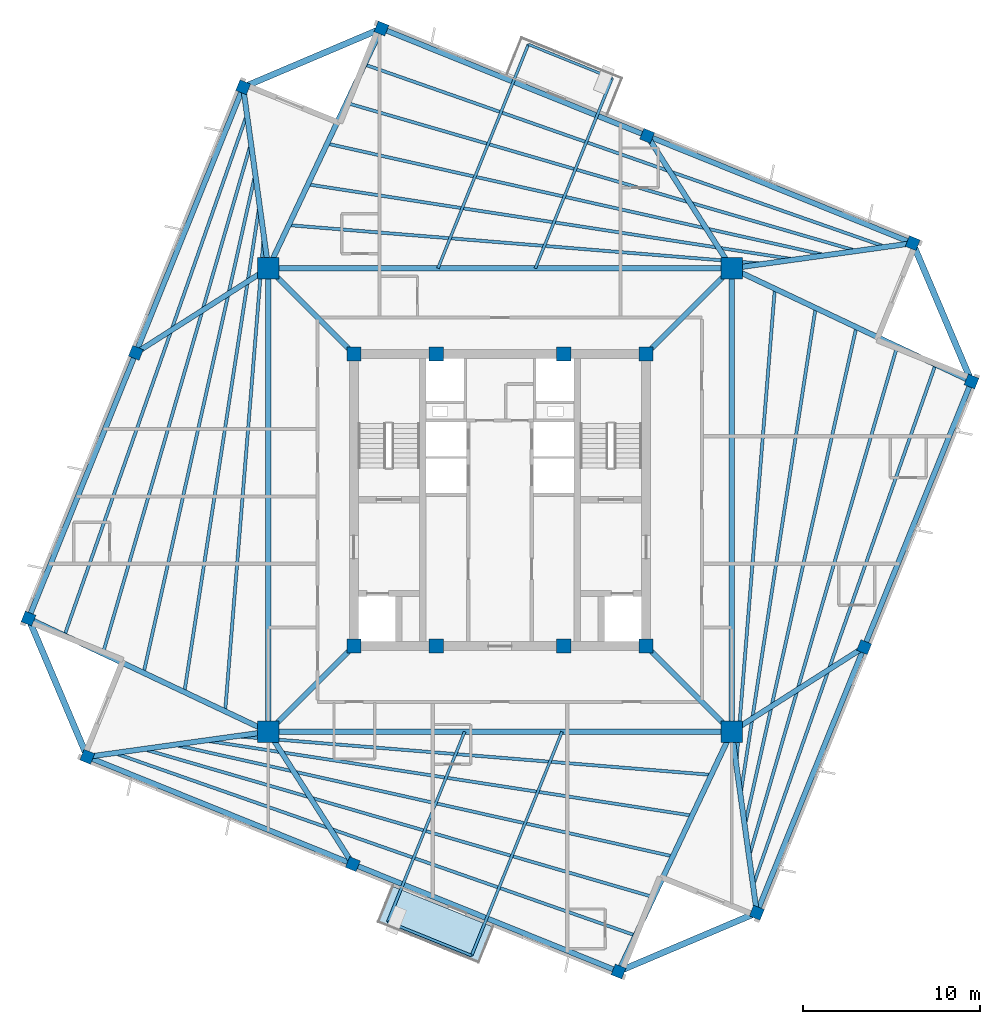
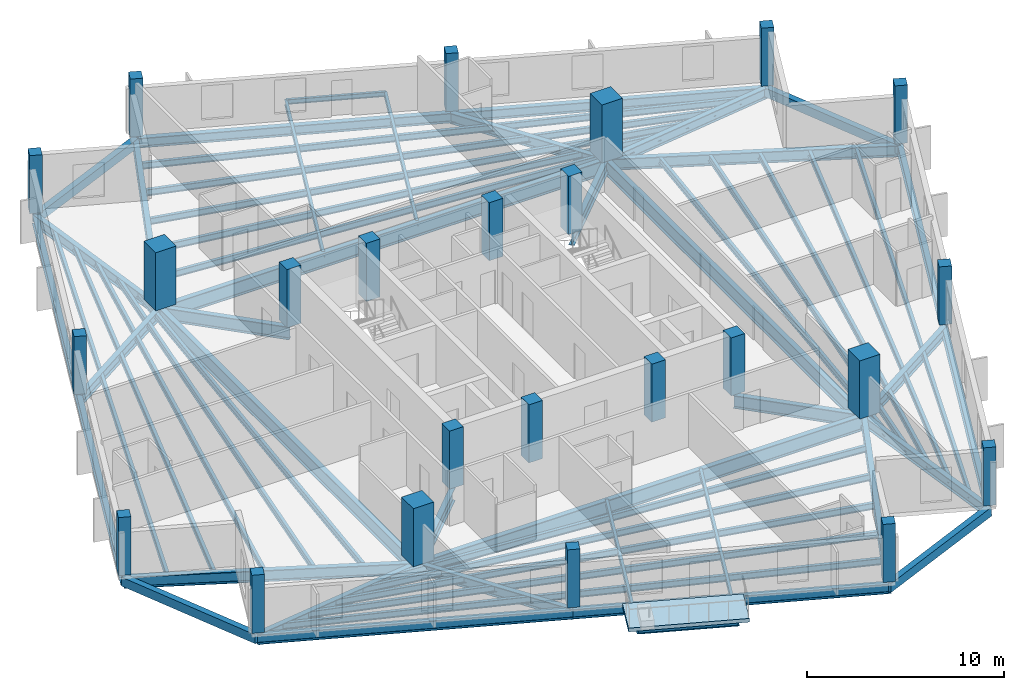
# One storey, part 1 of 8: 58 beams, 24 columns, 1 slab.
"""IFC4 building model written with IfcOpenShell, lengths in metres."""

from ifc_helpers import new_model, si_unit, direction, frame, origin, origin_2d, place, context, subcontext, project, spatial, polyline, rectangle, i_section, outline, extrude, source, transform, mapped, material, layer, layer_set, material_profile, profile_set, type_object, element, save


model = new_model("IFC4")

# Units and contexts
model_context = context("Model", 3, precision=1e-05, world=origin(), true_north=direction((0.0, 1.0)))
body_context = subcontext(model_context, "Body", "Model", "MODEL_VIEW")
ifc_project = project(units=[si_unit("LENGTHUNIT", "METRE"), si_unit("AREAUNIT", "SQUARE_METRE"), si_unit("VOLUMEUNIT", "CUBIC_METRE"), si_unit("PLANEANGLEUNIT", "RADIAN"), si_unit("MASSUNIT", "GRAM", prefix="KILO"), si_unit("THERMODYNAMICTEMPERATUREUNIT", "KELVIN")], contexts=[model_context])

# Site, building, storey
site_placement = place(None, origin())
site = spatial("IfcSite", under=ifc_project, at=site_placement, CompositionType="ELEMENT")
building_placement = place(site_placement, origin())
building = spatial("IfcBuilding", under=site, at=building_placement, Name="Kosmvard Interchange Tower", CompositionType="ELEMENT")
storey_placement = place(building_placement, frame((0.0, 0.0, 265.199951171875)))
storey = spatial("IfcBuildingStorey", under=building, at=storey_placement, Name="L64", CompositionType="ELEMENT", Elevation=265.199951171875)

# Columns
ifc_material_1 = material(Name="Concrete C50/60", Category="concrete")
ifc_material_profile_1 = material_profile(ifc_material_1, rectangle(XDim=0.800048828125, YDim=0.800048828125, at=origin_2d()), Name="CP 800x800")
ifc_profile_set_1 = profile_set([ifc_material_profile_1], Name="Concrete C50/60")
column_type_1 = type_object("IfcColumnType", Name="Core Boundary Pilaster 800x800 C50/60", PredefinedType="PILASTER", material=ifc_profile_set_1)
shared_shape_1 = source(origin(), body_context, "Body", "SweptSolid", [
    extrude(rectangle(XDim=0.800048828125, YDim=0.800048828125, at=origin_2d()), origin(), (0.0, 0.0, 1.0), 3.60009765625),
])
for number, where, z_axis, x_axis, name in (
    (1, (-8.25, -8.25, 0.0), (0.0, 0.0, 1.0), (1.0, 0.0, 0.0), "L64 Core Pilaster CP1"),
    (2, (8.25, -8.25, 0.0), (0.0, 0.0, 1.0), (1.0, 0.0, 0.0), "L64 Core Pilaster CP2"),
    (3, (8.25, 8.25, 0.0), (0.0, 0.0, 1.0), (1.0, 0.0, 0.0), "L64 Core Pilaster CP3"),
    (4, (-8.25, 8.25, 0.0), (0.0, 0.0, 1.0), (1.0, 0.0, 0.0), "L64 Core Pilaster CP4"),
    (5, (-3.60009765625, -8.25, 0.0), (0.0, 0.0, 1.0), (1.0, 0.0, 0.0), "L64 Core Pilaster CP5"),
    (6, (3.60009765625, -8.25, 0.0), (0.0, 0.0, 1.0), (1.0, 0.0, 0.0), "L64 Core Pilaster CP6"),
    (7, (-3.60009765625, 8.25, 0.0), (0.0, 0.0, 1.0), (1.0, 0.0, 0.0), "L64 Core Pilaster CP7"),
    (8, (3.60009765625, 8.25, 0.0), (0.0, 0.0, 1.0), (1.0, 0.0, 0.0), "L64 Core Pilaster CP8"),
):
    element("IfcColumn", number, at=place(storey_placement, frame(where, z_axis=z_axis, x_axis=x_axis)), inside=storey, type_object=column_type_1, Name=name, PredefinedType="PILASTER", context=body_context, shape_type="MappedRepresentation", body=[
        mapped(shared_shape_1, transform((0.0, 0.0, 0.0), scale=1.0)),
    ])
ifc_material_profile_2 = material_profile(ifc_material_1, rectangle(XDim=1.199951171875, YDim=1.199951171875, at=origin_2d()), Name="MC 1200x1200")
ifc_profile_set_2 = profile_set([ifc_material_profile_2], Name="Concrete C50/60")
column_type_2 = type_object("IfcColumnType", Name="Composite Mega-Column 1200x1200 C50/60", PredefinedType="COLUMN", material=ifc_profile_set_2)
shared_shape_2 = source(origin(), body_context, "Body", "SweptSolid", [
    extrude(rectangle(XDim=1.199951171875, YDim=1.199951171875, at=origin_2d()), origin(), (0.0, 0.0, 1.0), 3.60009765625),
])
for number, where, z_axis, x_axis, name in (
    (9, (-13.0810546875, -13.0810546875, 0.0), (0.0, 0.0, 1.0), (1.0, 0.0, 0.0), "L64 Corner Mega-Column MC1"),
    (10, (13.0810546875, -13.0810546875, 0.0), (0.0, 0.0, 1.0), (1.0, 0.0, 0.0), "L64 Corner Mega-Column MC2"),
    (11, (13.0810546875, 13.0810546875, 0.0), (0.0, 0.0, 1.0), (1.0, 0.0, 0.0), "L64 Corner Mega-Column MC3"),
    (12, (-13.0810546875, 13.0810546875, 0.0), (0.0, 0.0, 1.0), (1.0, 0.0, 0.0), "L64 Corner Mega-Column MC4"),
):
    element("IfcColumn", number, at=place(storey_placement, frame(where, z_axis=z_axis, x_axis=x_axis)), inside=storey, type_object=column_type_2, Name=name, PredefinedType="COLUMN", context=body_context, shape_type="MappedRepresentation", body=[
        mapped(shared_shape_2, transform((0.0, 0.0, 0.0), scale=1.0)),
    ])
ifc_material_profile_3 = material_profile(ifc_material_1, rectangle(XDim=0.64990234375, YDim=0.64990234375, at=origin_2d()), Name="TC 650x650")
ifc_profile_set_3 = profile_set([ifc_material_profile_3], Name="Concrete C50/60")
column_type_3 = type_object("IfcColumnType", Name="Zone 5 Perimeter Pier Column 650x650 C50/60", PredefinedType="COLUMN", material=ifc_profile_set_3)
shared_shape_3 = source(origin(), body_context, "Body", "SweptSolid", [
    extrude(rectangle(XDim=0.64990234375, YDim=0.64990234375, at=origin_2d()), origin(), (0.0, 0.0, 1.0), 3.60009765625),
])
for number, where, z_axis, x_axis, name in (
    (13, (14.5009765625, -23.30419921875, 0.0), (0.0, 0.0, 1.0), (0.374606593416, 0.927183854567, 0.0), "L64 Perimeter Pier Column TC-S1"),
    (14, (20.560302734375, -8.306884765625, 0.0), (0.0, 0.0, 1.0), (0.374606593416, 0.927183854567, 0.0), "L64 Perimeter Pier Column TC-S2"),
    (15, (26.61962890625, 6.690185546875, 0.0), (0.0, 0.0, 1.0), (0.374606593416, 0.927183854567, 0.0), "L64 Perimeter Pier Column TC-S3"),
    (16, (23.30419921875, 14.5009765625, 0.0), (0.0, 0.0, 1.0), (0.374606593416, 0.927183854567, 0.0), "L64 Perimeter Pier Column TC-E1"),
    (17, (8.306884765625, 20.560302734375, 0.0), (0.0, 0.0, 1.0), (0.374606593416, 0.927183854567, 0.0), "L64 Perimeter Pier Column TC-E2"),
    (18, (-6.690185546875, 26.61962890625, 0.0), (0.0, 0.0, 1.0), (0.374606593416, 0.927183854567, 0.0), "L64 Perimeter Pier Column TC-E3"),
    (19, (-14.5009765625, 23.30419921875, 0.0), (0.0, 0.0, 1.0), (0.374606593416, 0.927183854567, 0.0), "L64 Perimeter Pier Column TC-N1"),
    (20, (-20.560302734375, 8.306884765625, 0.0), (0.0, 0.0, 1.0), (0.374606593416, 0.927183854567, 0.0), "L64 Perimeter Pier Column TC-N2"),
    (21, (-26.61962890625, -6.690185546875, 0.0), (0.0, 0.0, 1.0), (0.374606593416, 0.927183854567, 0.0), "L64 Perimeter Pier Column TC-N3"),
    (22, (-23.30419921875, -14.5009765625, 0.0), (0.0, 0.0, 1.0), (0.374606593416, 0.927183854567, 0.0), "L64 Perimeter Pier Column TC-W1"),
    (23, (-8.306884765625, -20.560302734375, 0.0), (0.0, 0.0, 1.0), (0.374606593416, 0.927183854567, 0.0), "L64 Perimeter Pier Column TC-W2"),
    (24, (6.690185546875, -26.61962890625, 0.0), (0.0, 0.0, 1.0), (0.374606593416, 0.927183854567, 0.0), "L64 Perimeter Pier Column TC-W3"),
):
    element("IfcColumn", number, at=place(storey_placement, frame(where, z_axis=z_axis, x_axis=x_axis)), inside=storey, type_object=column_type_3, Name=name, PredefinedType="COLUMN", context=body_context, shape_type="MappedRepresentation", body=[
        mapped(shared_shape_3, transform((0.0, 0.0, 0.0), scale=1.0)),
    ])

# Beams
ifc_material_2 = material(Name="Steel S355", Category="steel")
ifc_material_profile_4 = material_profile(ifc_material_2, i_section(OverallWidth=0.14990234375, OverallDepth=0.300048828125, WebThickness=0.007080078125, FlangeThickness=0.0107421875, FilletRadius=0.014892578125, at=origin_2d()), Name="IPE 300")
ifc_profile_set_4 = profile_set([ifc_material_profile_4], Name="Steel S355")
beam_type_1 = type_object("IfcBeamType", Name="Balcony Edge Header Joist IPE 300 S355", PredefinedType="JOIST", material=ifc_profile_set_4)
shared_shape_4 = source(origin(), body_context, "Body", "SweptSolid", [
    extrude(i_section(OverallWidth=0.14990234375, OverallDepth=0.300048828125, WebThickness=0.007080078125, FlangeThickness=0.0107421875, FilletRadius=0.014892578125, at=origin_2d()), origin(), (0.0, 0.0, 1.0), 5.10009765625),
])
for number, where, z_axis, x_axis, name in (
    (25, (6.331298828125, 23.812255859375, -0.39990234375), (-0.927193563684, 0.37458256161, 0.0), (-0.37458256161, -0.927193563684, 0.0), "BM-L64-BJH1"),
    (26, (-6.331298828125, -23.812255859375, -0.39990234375), (0.927193563684, -0.37458256161, 0.0), (0.37458256161, 0.927193563684, 0.0), "BM-L64-BJH2"),
):
    element("IfcBeam", number, at=place(storey_placement, frame(where, z_axis=z_axis, x_axis=x_axis)), inside=storey, type_object=beam_type_1, Name=name, PredefinedType="JOIST", context=body_context, shape_type="MappedRepresentation", body=[
        mapped(shared_shape_4, transform((0.0, 0.0, 0.0), scale=1.0)),
    ])
ifc_material_profile_5 = material_profile(ifc_material_2, i_section(OverallWidth=0.300048828125, OverallDepth=0.800048828125, WebThickness=0.017578125, FlangeThickness=0.032958984375, FilletRadius=0.027099609375, at=origin_2d()), Name="HEB 800")
ifc_profile_set_5 = profile_set([ifc_material_profile_5], Name="Steel S355")
beam_type_2 = type_object("IfcBeamType", Name="Primary Mega-Frame Girder HEB 800 S355", PredefinedType="BEAM", material=ifc_profile_set_5)
shared_shape_5 = source(origin(), body_context, "Body", "SweptSolid", [
    extrude(i_section(OverallWidth=0.300048828125, OverallDepth=0.800048828125, WebThickness=0.017578125, FlangeThickness=0.032958984375, FilletRadius=0.027099609375, at=origin_2d()), origin(), (0.0, 0.0, 1.0), 6.83203125),
])
for number, where, z_axis, x_axis, name in (
    (27, (-8.25, -8.25, -0.64990234375), (-0.707106781187, -0.707106781187, 0.0), (0.707106781187, -0.707106781187, 0.0), "L64 Radial Mega-Frame Girder 1"),
    (28, (8.25, -8.25, -0.64990234375), (0.707106781187, -0.707106781187, 0.0), (0.707106781187, 0.707106781187, 0.0), "L64 Radial Mega-Frame Girder 2"),
    (29, (8.25, 8.25, -0.64990234375), (0.707106781187, 0.707106781187, 0.0), (-0.707106781187, 0.707106781187, 0.0), "L64 Radial Mega-Frame Girder 3"),
    (30, (-8.25, 8.25, -0.64990234375), (-0.707106781187, 0.707106781187, 0.0), (-0.707106781187, -0.707106781187, 0.0), "L64 Radial Mega-Frame Girder 4"),
):
    element("IfcBeam", number, at=place(storey_placement, frame(where, z_axis=z_axis, x_axis=x_axis)), inside=storey, type_object=beam_type_2, Name=name, PredefinedType="BEAM", context=body_context, shape_type="MappedRepresentation", body=[
        mapped(shared_shape_5, transform((0.0, 0.0, 0.0), scale=1.0)),
    ])
ifc_material_profile_6 = material_profile(ifc_material_2, i_section(OverallWidth=0.300048828125, OverallDepth=0.89990234375, WebThickness=0.0185546875, FlangeThickness=0.034912109375, FilletRadius=0.030029296875, at=origin_2d()), Name="HEB 900")
ifc_profile_set_6 = profile_set([ifc_material_profile_6], Name="Steel S355")
beam_type_3 = type_object("IfcBeamType", Name="Mega-Column Ring Girder HEB 900 S355", PredefinedType="BEAM", material=ifc_profile_set_6)
shared_shape_6 = source(origin(), body_context, "Body", "SweptSolid", [
    extrude(i_section(OverallWidth=0.300048828125, OverallDepth=0.89990234375, WebThickness=0.0185546875, FlangeThickness=0.034912109375, FilletRadius=0.030029296875, at=origin_2d()), origin(), (0.0, 0.0, 1.0), 26.162109375),
])
for number, where, z_axis, x_axis, name in (
    (31, (-13.0810546875, -13.0810546875, -0.699951171875), (1.0, 0.0, 0.0), (0.0, 1.0, 0.0), "L64 Mega-Column Ring Girder 1"),
    (32, (13.0810546875, -13.0810546875, -0.699951171875), (0.0, 1.0, 0.0), (-1.0, 0.0, 0.0), "L64 Mega-Column Ring Girder 2"),
    (33, (13.0810546875, 13.0810546875, -0.699951171875), (-1.0, 0.0, 0.0), (0.0, -1.0, 0.0), "L64 Mega-Column Ring Girder 3"),
    (34, (-13.0810546875, 13.0810546875, -0.699951171875), (0.0, -1.0, 0.0), (1.0, 0.0, 0.0), "L64 Mega-Column Ring Girder 4"),
):
    element("IfcBeam", number, at=place(storey_placement, frame(where, z_axis=z_axis, x_axis=x_axis)), inside=storey, type_object=beam_type_3, Name=name, PredefinedType="BEAM", context=body_context, shape_type="MappedRepresentation", body=[
        mapped(shared_shape_6, transform((0.0, 0.0, 0.0), scale=1.0)),
    ])
ifc_material_profile_7 = material_profile(ifc_material_2, i_section(OverallWidth=0.300048828125, OverallDepth=0.60009765625, WebThickness=0.015380859375, FlangeThickness=0.030029296875, FilletRadius=0.027099609375, at=origin_2d()), Name="HEB 600")
ifc_profile_set_7 = profile_set([ifc_material_profile_7], Name="Steel S355")
beam_type_4 = type_object("IfcBeamType", Name="Perimeter Tie Girder HEB 600 S355", PredefinedType="BEAM", material=ifc_profile_set_7)
shared_shape_7 = source(origin(), body_context, "Body", "SweptSolid", [
    extrude(i_section(OverallWidth=0.300048828125, OverallDepth=0.60009765625, WebThickness=0.015380859375, FlangeThickness=0.030029296875, FilletRadius=0.027099609375, at=origin_2d()), origin(), (0.0, 0.0, 1.0), 16.175048828125),
])
for number, where, z_axis, x_axis, name in (
    (35, (14.5009765625, -23.30419921875, -0.550048828125), (0.374607540279, 0.927183472009, 0.0), (-0.927183472009, 0.374607540279, 0.0), "BM-L64-PR01"),
    (36, (23.30419921875, 14.5009765625, -0.550048828125), (-0.927183472009, 0.374607540279, 0.0), (-0.374607540279, -0.927183472009, 0.0), "BM-L64-PR04"),
    (37, (-14.5009765625, 23.30419921875, -0.550048828125), (-0.374607540279, -0.927183472009, 0.0), (0.927183472009, -0.374607540279, 0.0), "BM-L64-PR07"),
    (38, (-23.30419921875, -14.5009765625, -0.550048828125), (0.927183472009, -0.374607540279, 0.0), (0.374607540279, 0.927183472009, 0.0), "BM-L64-PR10"),
):
    element("IfcBeam", number, at=place(storey_placement, frame(where, z_axis=z_axis, x_axis=x_axis)), inside=storey, type_object=beam_type_4, Name=name, PredefinedType="BEAM", context=body_context, shape_type="MappedRepresentation", body=[
        mapped(shared_shape_7, transform((0.0, 0.0, 0.0), scale=1.0)),
    ])
ifc_material_profile_8 = material_profile(ifc_material_2, i_section(OverallWidth=0.300048828125, OverallDepth=0.64990234375, WebThickness=0.01611328125, FlangeThickness=0.031005859375, FilletRadius=0.027099609375, at=origin_2d()), Name="HEB 650")
ifc_profile_set_8 = profile_set([ifc_material_profile_8], Name="Steel S355")
beam_type_5 = type_object("IfcBeamType", Name="Primary Floor Girder HEB 650 S355", PredefinedType="BEAM", material=ifc_profile_set_8)
shared_shape_8 = source(origin(), body_context, "Body", "SweptSolid", [
    extrude(i_section(OverallWidth=0.300048828125, OverallDepth=0.64990234375, WebThickness=0.01611328125, FlangeThickness=0.031005859375, FilletRadius=0.027099609375, at=origin_2d()), origin(), (0.0, 0.0, 1.0), 10.3212890625),
])
for number, where, z_axis, x_axis, name in (
    (39, (13.0810546875, -13.0810546875, -0.574951171875), (0.137572239014, -0.990491735984, 0.0), (0.990491735984, 0.137572239014, 0.0), "BM-L64-RD01"),
    (40, (13.0810546875, 13.0810546875, -0.574951171875), (0.990491735984, 0.137572239014, 0.0), (-0.137572239014, 0.990491735984, 0.0), "BM-L64-RD04"),
    (41, (-13.0810546875, 13.0810546875, -0.574951171875), (-0.137572239014, 0.990491735984, 0.0), (-0.990491735984, -0.137572239014, 0.0), "BM-L64-RD07"),
    (42, (-13.0810546875, -13.0810546875, -0.574951171875), (-0.990491735984, -0.137572239014, 0.0), (0.137572239014, -0.990491735984, 0.0), "BM-L64-RD10"),
):
    element("IfcBeam", number, at=place(storey_placement, frame(where, z_axis=z_axis, x_axis=x_axis)), inside=storey, type_object=beam_type_5, Name=name, PredefinedType="BEAM", context=body_context, shape_type="MappedRepresentation", body=[
        mapped(shared_shape_8, transform((0.0, 0.0, 0.0), scale=1.0)),
    ])
shared_shape_9 = source(origin(), body_context, "Body", "SweptSolid", [
    extrude(i_section(OverallWidth=0.300048828125, OverallDepth=0.60009765625, WebThickness=0.015380859375, FlangeThickness=0.030029296875, FilletRadius=0.027099609375, at=origin_2d()), origin(), (0.0, 0.0, 1.0), 16.1748046875),
])
for number, where, z_axis, x_axis, name in (
    (43, (20.560302734375, -8.306884765625, -0.550048828125), (0.374612782798, 0.92718135387, 0.0), (-0.92718135387, 0.374612782798, 0.0), "BM-L64-PR02"),
    (44, (8.306884765625, 20.560302734375, -0.550048828125), (-0.92718135387, 0.374612782798, 0.0), (-0.374612782798, -0.92718135387, 0.0), "BM-L64-PR05"),
    (45, (-20.560302734375, 8.306884765625, -0.550048828125), (-0.374612782798, -0.92718135387, 0.0), (0.92718135387, -0.374612782798, 0.0), "BM-L64-PR08"),
    (46, (-8.306884765625, -20.560302734375, -0.550048828125), (0.92718135387, -0.374612782798, 0.0), (0.374612782798, 0.92718135387, 0.0), "BM-L64-PR11"),
):
    element("IfcBeam", number, at=place(storey_placement, frame(where, z_axis=z_axis, x_axis=x_axis)), inside=storey, type_object=beam_type_4, Name=name, PredefinedType="BEAM", context=body_context, shape_type="MappedRepresentation", body=[
        mapped(shared_shape_9, transform((0.0, 0.0, 0.0), scale=1.0)),
    ])
shared_shape_10 = source(origin(), body_context, "Body", "SweptSolid", [
    extrude(i_section(OverallWidth=0.300048828125, OverallDepth=0.64990234375, WebThickness=0.01611328125, FlangeThickness=0.031005859375, FilletRadius=0.027099609375, at=origin_2d()), origin(), (0.0, 0.0, 1.0), 8.873046875),
])
for number, where, z_axis, x_axis, name in (
    (47, (13.0810546875, -13.0810546875, -0.574951171875), (0.842912916934, 0.538050011119, 0.0), (-0.538050011119, 0.842912916934, 0.0), "BM-L64-RD02"),
    (48, (13.0810546875, 13.0810546875, -0.574951171875), (-0.538050011119, 0.842912916934, 0.0), (-0.842912916934, -0.538050011119, 0.0), "BM-L64-RD05"),
    (49, (-13.0810546875, 13.0810546875, -0.574951171875), (-0.842912916934, -0.538050011119, 0.0), (0.538050011119, -0.842912916934, 0.0), "BM-L64-RD08"),
    (50, (-13.0810546875, -13.0810546875, -0.574951171875), (0.538050011119, -0.842912916934, 0.0), (0.842912916934, 0.538050011119, 0.0), "BM-L64-RD11"),
):
    element("IfcBeam", number, at=place(storey_placement, frame(where, z_axis=z_axis, x_axis=x_axis)), inside=storey, type_object=beam_type_5, Name=name, PredefinedType="BEAM", context=body_context, shape_type="MappedRepresentation", body=[
        mapped(shared_shape_10, transform((0.0, 0.0, 0.0), scale=1.0)),
    ])
ifc_material_3 = material(Name="Precast concrete C45/55", Category="concrete")
ifc_material_profile_9 = material_profile(ifc_material_3, rectangle(XDim=0.35009765625, YDim=0.550048828125, at=origin_2d()), Name="SL 350x550")
ifc_profile_set_9 = profile_set([ifc_material_profile_9], Name="Precast concrete C45/55")
beam_type_6 = type_object("IfcBeamType", Name="Precast Spandrel Lintel 350x550 C45/55", PredefinedType="LINTEL", material=ifc_profile_set_9)
shared_shape_11 = source(origin(), body_context, "Body", "SweptSolid", [
    extrude(rectangle(XDim=0.35009765625, YDim=0.550048828125, at=origin_2d()), origin(), (0.0, 0.0, 1.0), 8.4853515625),
])
for number, where, z_axis, x_axis, name in (
    (51, (26.61962890625, 6.690185546875, -0.52490234375), (-0.390725696857, 0.920507159025, 0.0), (-0.920507159025, -0.390725696857, 0.0), "BM-L64-SL1"),
    (52, (-6.690185546875, 26.61962890625, -0.52490234375), (-0.920507159025, -0.390725696857, 0.0), (0.390725696857, -0.920507159025, 0.0), "BM-L64-SL2"),
    (53, (-26.61962890625, -6.690185546875, -0.52490234375), (0.390725696857, -0.920507159025, 0.0), (0.920507159025, 0.390725696857, 0.0), "BM-L64-SL3"),
    (54, (6.690185546875, -26.61962890625, -0.52490234375), (0.920507159025, 0.390725696857, 0.0), (-0.390725696857, 0.920507159025, 0.0), "BM-L64-SL4"),
):
    element("IfcBeam", number, at=place(storey_placement, frame(where, z_axis=z_axis, x_axis=x_axis)), inside=storey, type_object=beam_type_6, Name=name, PredefinedType="LINTEL", context=body_context, shape_type="MappedRepresentation", body=[
        mapped(shared_shape_11, transform((0.0, 0.0, 0.0), scale=1.0)),
    ])
ifc_material_profile_10 = material_profile(ifc_material_2, i_section(OverallWidth=0.300048828125, OverallDepth=0.699951171875, WebThickness=0.01708984375, FlangeThickness=0.031982421875, FilletRadius=0.027099609375, at=origin_2d()), Name="HEB 700")
ifc_profile_set_10 = profile_set([ifc_material_profile_10], Name="Steel S355")
beam_type_7 = type_object("IfcBeamType", Name="Primary Floor Girder HEB 700 S355", PredefinedType="BEAM", material=ifc_profile_set_10)
shared_shape_12 = source(origin(), body_context, "Body", "SweptSolid", [
    extrude(i_section(OverallWidth=0.300048828125, OverallDepth=0.699951171875, WebThickness=0.01708984375, FlangeThickness=0.031982421875, FilletRadius=0.027099609375, at=origin_2d()), origin(), (0.0, 0.0, 1.0), 14.97119140625),
])
for number, where, z_axis, x_axis, name in (
    (55, (13.0810546875, 13.0810546875, -0.599853515625), (0.904309155001, -0.426878146761, 0.0), (0.426878146761, 0.904309155001, 0.0), "BM-L64-RD03"),
    (56, (-13.0810546875, 13.0810546875, -0.599853515625), (0.426878146761, 0.904309155001, 0.0), (-0.904309155001, 0.426878146761, 0.0), "BM-L64-RD06"),
    (57, (-13.0810546875, -13.0810546875, -0.599853515625), (-0.904309155001, 0.426878146761, 0.0), (-0.426878146761, -0.904309155001, 0.0), "BM-L64-RD09"),
    (58, (13.0810546875, -13.0810546875, -0.599853515625), (-0.426878146761, -0.904309155001, 0.0), (0.904309155001, -0.426878146761, 0.0), "BM-L64-RD12"),
):
    element("IfcBeam", number, at=place(storey_placement, frame(where, z_axis=z_axis, x_axis=x_axis)), inside=storey, type_object=beam_type_7, Name=name, PredefinedType="BEAM", context=body_context, shape_type="MappedRepresentation", body=[
        mapped(shared_shape_12, transform((0.0, 0.0, 0.0), scale=1.0)),
    ])
ifc_material_profile_11 = material_profile(ifc_material_2, i_section(OverallWidth=0.179931640625, OverallDepth=0.39990234375, WebThickness=0.008544921875, FlangeThickness=0.013427734375, FilletRadius=0.02099609375, at=origin_2d()), Name="IPE 400")
ifc_profile_set_11 = profile_set([ifc_material_profile_11], Name="Steel S355")
beam_type_8 = type_object("IfcBeamType", Name="Upper-Zone Floor Joist IPE 400 S355", PredefinedType="JOIST", material=ifc_profile_set_11)
shared_shape_13 = source(origin(), body_context, "Body", "SweptSolid", [
    extrude(i_section(OverallWidth=0.179931640625, OverallDepth=0.39990234375, WebThickness=0.008544921875, FlangeThickness=0.013427734375, FilletRadius=0.02099609375, at=origin_2d()), origin(), (0.0, 0.0, 1.0), 26.780029296875),
])
for number, where, z_axis, x_axis, name in (
    (59, (13.343017578125, -14.84130859375, -0.449951171875), (0.080972773487, 0.996716313679, 0.0), (-0.996716313679, 0.080972773487, 0.0), "BM-L64-FJ01"),
    (60, (14.84130859375, 13.343017578125, -0.449951171875), (-0.996716313679, 0.080972773487, 0.0), (-0.080972773487, -0.996716313679, 0.0), "BM-L64-FJ06"),
    (61, (-13.343017578125, 14.84130859375, -0.449951171875), (-0.080972773487, -0.996716313679, 0.0), (0.996716313679, -0.080972773487, 0.0), "BM-L64-FJ11"),
    (62, (-14.84130859375, -13.343017578125, -0.449951171875), (0.996716313679, -0.080972773487, 0.0), (0.080972773487, 0.996716313679, 0.0), "BM-L64-FJ16"),
):
    element("IfcBeam", number, at=place(storey_placement, frame(where, z_axis=z_axis, x_axis=x_axis)), inside=storey, type_object=beam_type_8, Name=name, PredefinedType="JOIST", context=body_context, shape_type="MappedRepresentation", body=[
        mapped(shared_shape_13, transform((0.0, 0.0, 0.0), scale=1.0)),
    ])
shared_shape_14 = source(origin(), body_context, "Body", "SweptSolid", [
    extrude(i_section(OverallWidth=0.179931640625, OverallDepth=0.39990234375, WebThickness=0.008544921875, FlangeThickness=0.013427734375, FilletRadius=0.02099609375, at=origin_2d()), origin(), (0.0, 0.0, 1.0), 27.66845703125),
])
for number, where, z_axis, x_axis, name in (
    (63, (13.590087890625, -16.580078125, -0.449951171875), (0.152421855854, 0.988315525456, 0.0), (-0.988315525456, 0.152421855854, 0.0), "BM-L64-FJ02"),
    (64, (16.580078125, 13.590087890625, -0.449951171875), (-0.988315525456, 0.152421855854, 0.0), (-0.152421855854, -0.988315525456, 0.0), "BM-L64-FJ07"),
    (65, (-13.590087890625, 16.580078125, -0.449951171875), (-0.152421855854, -0.988315525456, 0.0), (0.988315525456, -0.152421855854, 0.0), "BM-L64-FJ12"),
    (66, (-16.580078125, -13.590087890625, -0.449951171875), (0.988315525456, -0.152421855854, 0.0), (0.152421855854, 0.988315525456, 0.0), "BM-L64-FJ17"),
):
    element("IfcBeam", number, at=place(storey_placement, frame(where, z_axis=z_axis, x_axis=x_axis)), inside=storey, type_object=beam_type_8, Name=name, PredefinedType="JOIST", context=body_context, shape_type="MappedRepresentation", body=[
        mapped(shared_shape_14, transform((0.0, 0.0, 0.0), scale=1.0)),
    ])
shared_shape_15 = source(origin(), body_context, "Body", "SweptSolid", [
    extrude(i_section(OverallWidth=0.179931640625, OverallDepth=0.39990234375, WebThickness=0.008544921875, FlangeThickness=0.013427734375, FilletRadius=0.02099609375, at=origin_2d()), origin(), (0.0, 0.0, 1.0), 28.691162109375),
])
for number, where, z_axis, x_axis, name in (
    (67, (13.8369140625, -18.31884765625, -0.449951171875), (0.218415018158, 0.975855972899, 0.0), (-0.975855972899, 0.218415018158, 0.0), "BM-L64-FJ03"),
    (68, (18.31884765625, 13.8369140625, -0.449951171875), (-0.975855972899, 0.218415018158, 0.0), (-0.218415018158, -0.975855972899, 0.0), "BM-L64-FJ08"),
    (69, (-13.8369140625, 18.31884765625, -0.449951171875), (-0.218415018158, -0.975855972899, 0.0), (0.975855972899, -0.218415018158, 0.0), "BM-L64-FJ13"),
    (70, (-18.31884765625, -13.8369140625, -0.449951171875), (0.975855972899, -0.218415018158, 0.0), (0.218415018158, 0.975855972899, 0.0), "BM-L64-FJ18"),
):
    element("IfcBeam", number, at=place(storey_placement, frame(where, z_axis=z_axis, x_axis=x_axis)), inside=storey, type_object=beam_type_8, Name=name, PredefinedType="JOIST", context=body_context, shape_type="MappedRepresentation", body=[
        mapped(shared_shape_15, transform((0.0, 0.0, 0.0), scale=1.0)),
    ])
shared_shape_16 = source(origin(), body_context, "Body", "SweptSolid", [
    extrude(i_section(OverallWidth=0.179931640625, OverallDepth=0.39990234375, WebThickness=0.008544921875, FlangeThickness=0.013427734375, FilletRadius=0.02099609375, at=origin_2d()), origin(), (0.0, 0.0, 1.0), 29.83544921875),
])
for number, where, z_axis, x_axis, name in (
    (71, (14.0830078125, -20.05810546875, -0.449951171875), (0.27877586881, 0.960356191717, 0.0), (-0.960356191717, 0.27877586881, 0.0), "BM-L64-FJ04"),
    (72, (20.05810546875, 14.0830078125, -0.449951171875), (-0.960356191717, 0.27877586881, 0.0), (-0.27877586881, -0.960356191717, 0.0), "BM-L64-FJ09"),
    (73, (-14.0830078125, 20.05810546875, -0.449951171875), (-0.27877586881, -0.960356191717, 0.0), (0.960356191717, -0.27877586881, 0.0), "BM-L64-FJ14"),
    (74, (-20.05810546875, -14.0830078125, -0.449951171875), (0.960356191717, -0.27877586881, 0.0), (0.27877586881, 0.960356191717, 0.0), "BM-L64-FJ19"),
):
    element("IfcBeam", number, at=place(storey_placement, frame(where, z_axis=z_axis, x_axis=x_axis)), inside=storey, type_object=beam_type_8, Name=name, PredefinedType="JOIST", context=body_context, shape_type="MappedRepresentation", body=[
        mapped(shared_shape_16, transform((0.0, 0.0, 0.0), scale=1.0)),
    ])
shared_shape_17 = source(origin(), body_context, "Body", "SweptSolid", [
    extrude(i_section(OverallWidth=0.179931640625, OverallDepth=0.39990234375, WebThickness=0.008544921875, FlangeThickness=0.013427734375, FilletRadius=0.02099609375, at=origin_2d()), origin(), (0.0, 0.0, 1.0), 31.0107421875),
])
for number, where, z_axis, x_axis, name in (
    (75, (14.314453125, -21.695068359375, -0.449951171875), (0.330459834828, 0.943820055713, 0.0), (-0.943820055713, 0.330459834828, 0.0), "BM-L64-FJ05"),
    (76, (21.695068359375, 14.314453125, -0.449951171875), (-0.943820055713, 0.330459834828, 0.0), (-0.330459834828, -0.943820055713, 0.0), "BM-L64-FJ10"),
    (77, (-14.314453125, 21.695068359375, -0.449951171875), (-0.330459834828, -0.943820055713, 0.0), (0.943820055713, -0.330459834828, 0.0), "BM-L64-FJ15"),
    (78, (-21.695068359375, -14.314453125, -0.449951171875), (0.943820055713, -0.330459834828, 0.0), (0.330459834828, 0.943820055713, 0.0), "BM-L64-FJ20"),
):
    element("IfcBeam", number, at=place(storey_placement, frame(where, z_axis=z_axis, x_axis=x_axis)), inside=storey, type_object=beam_type_8, Name=name, PredefinedType="JOIST", context=body_context, shape_type="MappedRepresentation", body=[
        mapped(shared_shape_17, transform((0.0, 0.0, 0.0), scale=1.0)),
    ])
ifc_material_profile_12 = material_profile(ifc_material_2, i_section(OverallWidth=0.159912109375, OverallDepth=0.330078125, WebThickness=0.007568359375, FlangeThickness=0.011474609375, FilletRadius=0.01806640625, at=origin_2d()), Name="IPE 330")
ifc_profile_set_12 = profile_set([ifc_material_profile_12], Name="Steel S355")
beam_type_9 = type_object("IfcBeamType", Name="Balcony Cantilever Joist IPE 330 S355", PredefinedType="JOIST", material=ifc_profile_set_12)
shared_shape_18 = source(origin(), body_context, "Body", "SweptSolid", [
    extrude(i_section(OverallWidth=0.159912109375, OverallDepth=0.330078125, WebThickness=0.007568359375, FlangeThickness=0.011474609375, FilletRadius=0.01806640625, at=origin_2d()), origin(), (0.0, 0.0, 1.0), 11.573974609375),
])
for number, where, z_axis, x_axis, name in (
    (79, (1.99560546875, 13.0810546875, -0.4150390625), (0.374607087443, 0.927183654967, 0.0), (-0.927183654967, 0.374607087443, 0.0), "BM-L64-BJ1"),
    (80, (-1.99560546875, -13.0810546875, -0.4150390625), (-0.374607087443, -0.927183654967, 0.0), (0.927183654967, -0.374607087443, 0.0), "BM-L64-BJ2"),
):
    element("IfcBeam", number, at=place(storey_placement, frame(where, z_axis=z_axis, x_axis=x_axis)), inside=storey, type_object=beam_type_9, Name=name, PredefinedType="JOIST", context=body_context, shape_type="MappedRepresentation", body=[
        mapped(shared_shape_18, transform((0.0, 0.0, 0.0), scale=1.0)),
    ])
shared_shape_19 = source(origin(), body_context, "Body", "SweptSolid", [
    extrude(i_section(OverallWidth=0.159912109375, OverallDepth=0.330078125, WebThickness=0.007568359375, FlangeThickness=0.011474609375, FilletRadius=0.01806640625, at=origin_2d()), origin(), (0.0, 0.0, 1.0), 13.63427734375),
])
for number, where, z_axis, x_axis, name in (
    (81, (-3.5048828125, 13.0810546875, -0.4150390625), (0.374599235723, 0.927186827234, 0.0), (-0.927186827234, 0.374599235723, 0.0), "BM-L64-BJB1"),
    (82, (3.5048828125, -13.0810546875, -0.4150390625), (-0.374599235723, -0.927186827234, 0.0), (0.927186827234, -0.374599235723, 0.0), "BM-L64-BJB2"),
):
    element("IfcBeam", number, at=place(storey_placement, frame(where, z_axis=z_axis, x_axis=x_axis)), inside=storey, type_object=beam_type_9, Name=name, PredefinedType="JOIST", context=body_context, shape_type="MappedRepresentation", body=[
        mapped(shared_shape_19, transform((0.0, 0.0, 0.0), scale=1.0)),
    ])

# Slab
ifc_layer = layer(ifc_material_1, 0.22998046875, Name="Concrete C50/60")
ifc_layer_set = layer_set([ifc_layer], Name="Concrete C50/60")
slab_type = type_object("IfcSlabType", Name="Tree-Planter Cantilever Balcony Slab 230 C50/60", PredefinedType="FLOOR", material=ifc_layer_set)
slab_placement = place(storey_placement, frame((0.0, 0.0, -0.22998046875)))
element("IfcSlab", 83, at=slab_placement, inside=storey, type_object=slab_type, Name="L64 Outdoor Terrace Balcony Slab BAL-L64-W", PredefinedType="FLOOR", context=body_context, shape_type="SweptSolid", body=[
    extrude(outline(polyline([(-1.186279296875, -26.160400390625), (-0.362060546875, -24.12060546875), (-6.110595703125, -21.798095703125), (-6.934814453125, -23.837890625), (-1.186279296875, -26.160400390625)])), origin(), (0.0, 0.0, 1.0), 0.22998046875),
])

save(model, "model.ifc")
